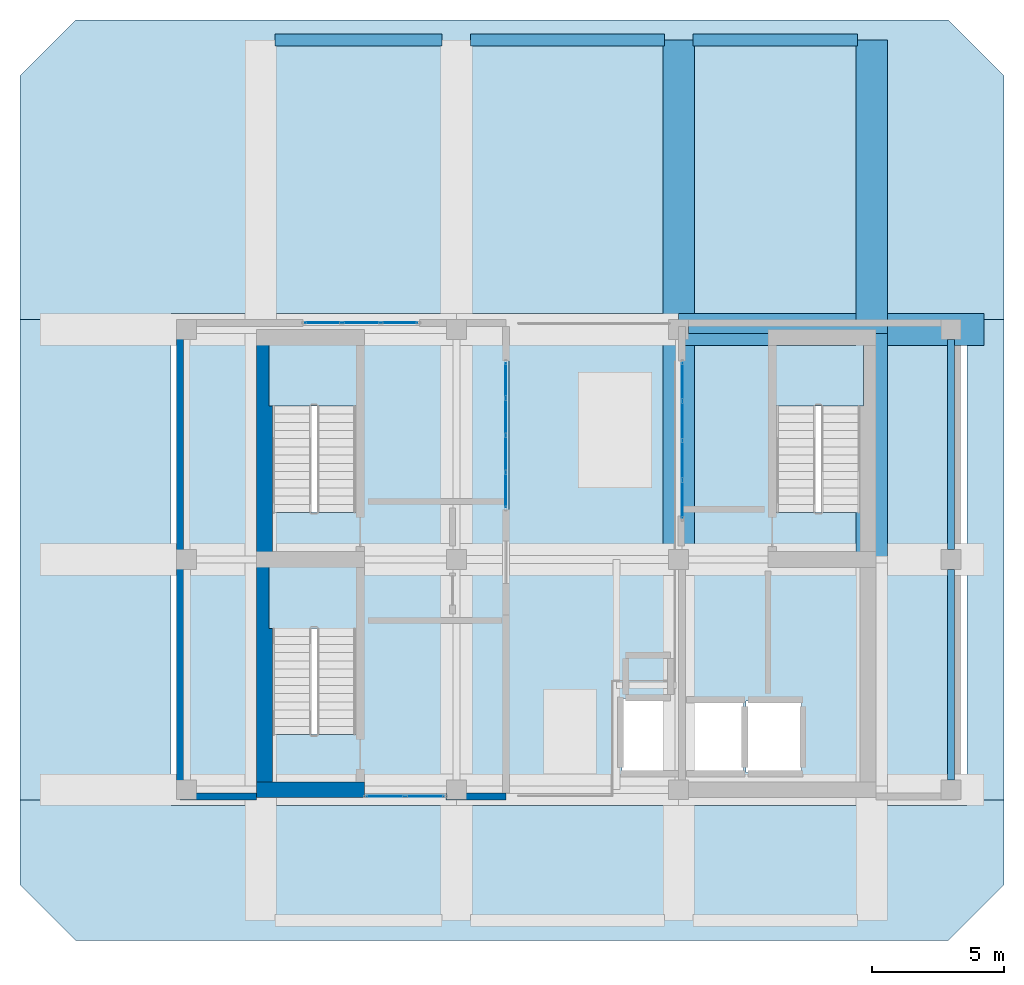
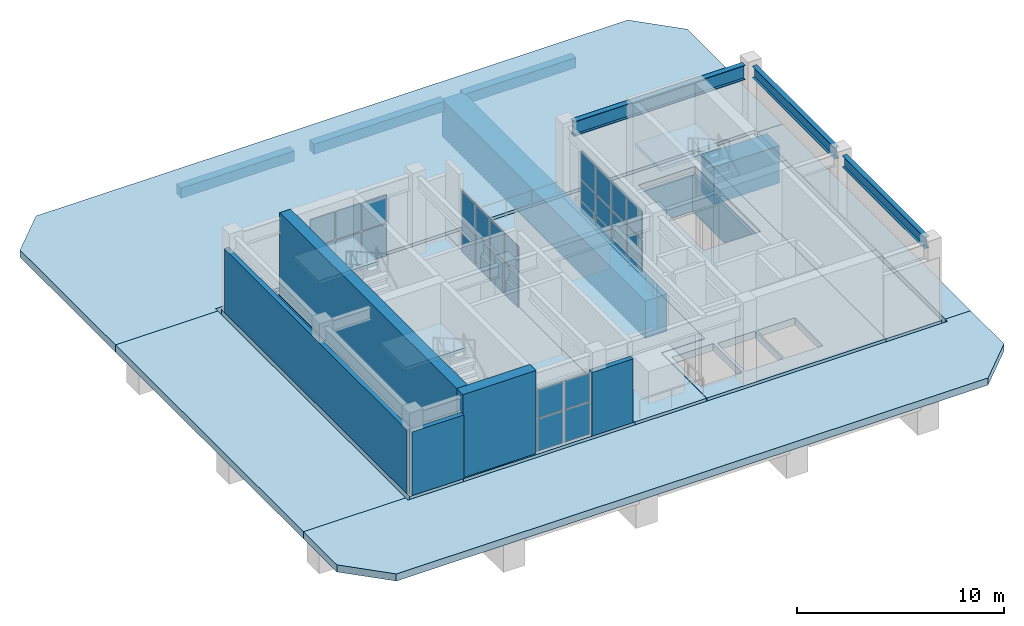
# One storey, part 12 of 16: 26 plates, 12 slabs, 10 beams, 5 walls, 7 elements without a shape of their own.
"""IFC4 building model written with IfcOpenShell, lengths in metres."""

from ifc_helpers import new_model, si_unit, direction, frame, frame_2d, origin, origin_2d, place, context, subcontext, project, spatial, polyline, rectangle, i_section, outline, extrude, material, layer, layer_set, material_profile, profile_set, type_object, element, aggregate, save


model = new_model("IFC4")

# Units and contexts
model_context = context("Model", 3, precision=1e-05, world=origin(), true_north=direction((0.0, 1.0)))
body_context = subcontext(model_context, "Body", "Model", "MODEL_VIEW")
ifc_project = project(units=[si_unit("LENGTHUNIT", "METRE"), si_unit("AREAUNIT", "SQUARE_METRE"), si_unit("VOLUMEUNIT", "CUBIC_METRE"), si_unit("PLANEANGLEUNIT", "RADIAN"), si_unit("MASSUNIT", "GRAM", prefix="KILO")], contexts=[model_context])

# Site, building, storey
site_placement = place(None, origin())
site = spatial("IfcSite", under=ifc_project, at=site_placement, CompositionType="ELEMENT")
building_placement = place(site_placement, origin())
building = spatial("IfcBuilding", under=site, at=building_placement, Name="Solanera Arch Residences", CompositionType="ELEMENT")
storey_placement = place(building_placement, frame((0.0, 0.0, 278.080078125)))
storey = spatial("IfcBuildingStorey", under=building, at=storey_placement, Name="L80", CompositionType="ELEMENT", Elevation=278.080078125)

# Beams
ifc_material_1 = material(Name="Steel S355 (ASTM A992 / A572 Grade 50)", Category="steel")
ifc_material_profile_1 = material_profile(ifc_material_1, i_section(OverallWidth=0.256103515625, OverallDepth=0.693115234375, WebThickness=0.014404296875, FlangeThickness=0.023681640625, at=origin_2d()))
ifc_profile_set_1 = profile_set([ifc_material_profile_1], Name="Steel S355 (ASTM A992 / A572 Grade 50)")
beam_type_1 = type_object("IfcBeamType", Name="Primary Beam W690X170", PredefinedType="BEAM", material=ifc_profile_set_1)
for number, where, z_axis, x_axis, name in (
    (1, (39.5, 22.375, 4.27294921875), (0.0, 1.0, 0.0), (-1.0, 0.0, 0.0), "BM-L80-CR-E3"),
    (2, (39.5, 31.074951171875, 4.27294921875), (0.0, 1.0, 0.0), (-1.0, 0.0, 0.0), "BM-L80-CR-E4"),
):
    element("IfcBeam", number, at=place(storey_placement, frame(where, z_axis=z_axis, x_axis=x_axis)), inside=storey, type_object=beam_type_1, Name=name, PredefinedType="BEAM", context=body_context, shape_type="SweptSolid", body=[
        extrude(i_section(OverallWidth=0.256103515625, OverallDepth=0.693115234375, WebThickness=0.014404296875, FlangeThickness=0.023681640625, at=origin_2d()), origin(), (0.0, 0.0, 1.0), 7.949951171875),
    ])
ifc_material_2 = material(Name="Steel S355 (ASTM A992 / A572 Grade 50)", Category="steel")
ifc_material_profile_2 = material_profile(ifc_material_2, i_section(OverallWidth=0.2939453125, OverallDepth=0.85107421875, WebThickness=0.01611328125, FlangeThickness=0.02685546875, at=origin_2d()))
ifc_profile_set_2 = profile_set([ifc_material_profile_2], Name="Steel S355 (ASTM A992 / A572 Grade 50)")
beam_type_2 = type_object("IfcBeamType", Name="Primary Beam W840X226", PredefinedType="BEAM", material=ifc_profile_set_2)
beam_1_placement = place(storey_placement, frame((29.574951171875, 39.39990234375, 4.19384765625), z_axis=(1.0, 0.0, 0.0), x_axis=(0.0, 1.0, 0.0)))
element("IfcBeam", 3, at=beam_1_placement, inside=storey, type_object=beam_type_2, Name="BM-L80-CR-EN", PredefinedType="BEAM", context=body_context, shape_type="SweptSolid", body=[
    extrude(i_section(OverallWidth=0.2939453125, OverallDepth=0.85107421875, WebThickness=0.01611328125, FlangeThickness=0.02685546875, at=origin_2d()), origin(), (0.0, 0.0, 1.0), 9.550048828125),
])
ifc_material_3 = material(Name="Concrete C40/50 (f'c = 45 MPa)", Category="concrete")
ifc_material_profile_3 = material_profile(ifc_material_3, rectangle(XDim=0.449951171875, YDim=0.60009765625, at=origin_2d()))
ifc_profile_set_3 = profile_set([ifc_material_profile_3], Name="Concrete C40/50 (f'c = 45 MPa)")
beam_type_3 = type_object("IfcBeamType", Name="Spandrel Beam RC-BM-450X600", PredefinedType="SPANDREL", material=ifc_profile_set_3)
beam_2_placement = place(storey_placement, frame((13.93994140625, 50.35009765625, -0.719970703125), z_axis=(1.0, 0.0, 0.0), x_axis=(0.0, 1.0, 0.0)))
element("IfcBeam", 4, at=beam_2_placement, inside=storey, type_object=beam_type_3, Name="BM-L80-CAP-N1", PredefinedType="SPANDREL", context=body_context, shape_type="SweptSolid", body=[
    extrude(rectangle(XDim=0.449951171875, YDim=0.60009765625, at=origin_2d()), origin(), (0.0, 0.0, 1.0), 6.320068359375),
])
beam_3_placement = place(storey_placement, frame((21.340087890625, 50.35009765625, -0.719970703125), z_axis=(1.0, 0.0, 0.0), x_axis=(0.0, 1.0, 0.0)))
element("IfcBeam", 5, at=beam_3_placement, inside=storey, type_object=beam_type_3, Name="BM-L80-CAP-N2", PredefinedType="SPANDREL", context=body_context, shape_type="SweptSolid", body=[
    extrude(rectangle(XDim=0.449951171875, YDim=0.60009765625, at=origin_2d()), origin(), (0.0, 0.0, 1.0), 7.31982421875),
])
beam_4_placement = place(storey_placement, frame((29.739990234375, 50.35009765625, -0.719970703125), z_axis=(1.0, 0.0, 0.0), x_axis=(0.0, 1.0, 0.0)))
element("IfcBeam", 6, at=beam_4_placement, inside=storey, type_object=beam_type_3, Name="BM-L80-CAP-N3", PredefinedType="SPANDREL", context=body_context, shape_type="SweptSolid", body=[
    extrude(rectangle(XDim=0.449951171875, YDim=0.60009765625, at=origin_2d()), origin(), (0.0, 0.0, 1.0), 6.219970703125),
])
ifc_material_4 = material(Name="Concrete C55/67 (f'c = 60 MPa)", Category="concrete")
ifc_material_profile_4 = material_profile(ifc_material_4, rectangle(XDim=1.199951171875, YDim=2.199951171875, at=origin_2d()))
ifc_profile_set_4 = profile_set([ifc_material_profile_4], Name="Concrete C55/67 (f'c = 60 MPa)")
beam_type_4 = type_object("IfcBeamType", Name="Transfer Girder RC-BM-1200X2200", PredefinedType="BEAM", material=ifc_profile_set_4)
for number, where, z_axis, x_axis, name in (
    (7, (29.199951171875, 30.699951171875, -1.52001953125), (0.0, 1.0, 0.0), (-1.0, 0.0, 0.0), "BM-L80-CRX-NSN-292"),
    (8, (36.5, 30.699951171875, -1.52001953125), (0.0, 1.0, 0.0), (-1.0, 0.0, 0.0), "BM-L80-CRX-NSN-365"),
):
    element("IfcBeam", number, at=place(storey_placement, frame(where, z_axis=z_axis, x_axis=x_axis)), inside=storey, type_object=beam_type_4, Name=name, PredefinedType="BEAM", context=body_context, shape_type="SweptSolid", body=[
        extrude(rectangle(XDim=1.199951171875, YDim=2.199951171875, at=origin_2d()), origin(), (0.0, 0.0, 1.0), 19.650146484375),
    ])
beam_5_placement = place(storey_placement, frame((29.199951171875, 39.39990234375, -1.52001953125), z_axis=(1.0, 0.0, 0.0), x_axis=(0.0, 1.0, 0.0)))
element("IfcBeam", 9, at=beam_5_placement, inside=storey, type_object=beam_type_4, Name="BM-L80-CRX-EWCE-394", PredefinedType="BEAM", context=body_context, shape_type="SweptSolid", body=[
    extrude(rectangle(XDim=1.199951171875, YDim=2.199951171875, at=origin_2d()), origin(), (0.0, 0.0, 1.0), 6.699951171875),
])
beam_6_placement = place(storey_placement, frame((37.10009765625, 39.39990234375, -1.52001953125), z_axis=(1.0, 0.0, 0.0), x_axis=(0.0, 1.0, 0.0)))
element("IfcBeam", 10, at=beam_6_placement, inside=storey, type_object=beam_type_4, Name="BM-L80-CRX-EWE-394", PredefinedType="BEAM", context=body_context, shape_type="SweptSolid", body=[
    extrude(rectangle(XDim=1.199951171875, YDim=2.199951171875, at=origin_2d()), origin(), (0.0, 0.0, 1.0), 3.64990234375),
])

# Curtain wall, plates
ifc_material_5 = material(Name="Anodised Aluminium Alloy 6063-T6", Category="aluminium")
ifc_layer_1 = layer(ifc_material_5, 0.199951171875)
ifc_layer_set_1 = layer_set([ifc_layer_1], Name="Anodised Aluminium Alloy 6063-T6")
curtain_wall_type_1 = type_object("IfcCurtainWallType", Name="CW-5 Observatory High-Wind Curtain Wall", PredefinedType="USERDEFINED", material=ifc_layer_set_1)
curtain_wall_1_placement = place(storey_placement, origin())
curtain_wall_1 = element("IfcCurtainWall", 11, at=curtain_wall_1_placement, inside=storey, type_object=curtain_wall_type_1, Name="L80 Crown South Observatory Curtain Wall", ObjectType="CURTAIN_WALL", PredefinedType="USERDEFINED")
ifc_material_6 = material(Name="Double Glazed Low-E Laminated Glass", Category="glass")
ifc_layer_2 = layer(ifc_material_6, 0.035888671875)
ifc_layer_set_2 = layer_set([ifc_layer_2], Name="Double Glazed Low-E Laminated Glass")
plate_type = type_object("IfcPlateType", Name="Low-Iron Observatory Panel GL-36", PredefinedType="CURTAIN_PANEL", material=ifc_layer_set_2)
plate_1_placement = place(storey_placement, frame((19.610107421875, 21.75, 0.080078125), z_axis=(0.0, 0.0, 1.0), x_axis=(-1.0, 0.0, 0.0)))
plate_1 = element("IfcPlate", 12, at=plate_1_placement, type_object=plate_type, Name="CW-5 panel 1.1", PredefinedType="CURTAIN_PANEL", context=body_context, shape_type="SweptSolid", body=[
    extrude(rectangle(XDim=1.419921875, YDim=0.035888671875, at=origin_2d()), origin(), (0.0, 0.0, 1.0), 1.8798828125),
])
plate_2_placement = place(storey_placement, frame((19.610107421875, 21.75, 2.0400390625), z_axis=(0.0, 0.0, 1.0), x_axis=(-1.0, 0.0, 0.0)))
plate_2 = element("IfcPlate", 13, at=plate_2_placement, type_object=plate_type, Name="CW-5 panel 1.2", PredefinedType="CURTAIN_PANEL", context=body_context, shape_type="SweptSolid", body=[
    extrude(rectangle(XDim=1.419921875, YDim=0.035888671875, at=origin_2d()), origin(), (0.0, 0.0, 1.0), 1.639892578125),
])
plate_3_placement = place(storey_placement, frame((18.110107421875, 21.75, 0.080078125), z_axis=(0.0, 0.0, 1.0), x_axis=(-1.0, 0.0, 0.0)))
plate_3 = element("IfcPlate", 14, at=plate_3_placement, type_object=plate_type, Name="CW-5 panel 2.1", PredefinedType="CURTAIN_PANEL", context=body_context, shape_type="SweptSolid", body=[
    extrude(rectangle(XDim=1.419921875, YDim=0.035888671875, at=origin_2d()), origin(), (0.0, 0.0, 1.0), 1.8798828125),
])
plate_4_placement = place(storey_placement, frame((18.110107421875, 21.75, 2.0400390625), z_axis=(0.0, 0.0, 1.0), x_axis=(-1.0, 0.0, 0.0)))
plate_4 = element("IfcPlate", 15, at=plate_4_placement, type_object=plate_type, Name="CW-5 panel 2.2", PredefinedType="CURTAIN_PANEL", context=body_context, shape_type="SweptSolid", body=[
    extrude(rectangle(XDim=1.419921875, YDim=0.035888671875, at=origin_2d()), origin(), (0.0, 0.0, 1.0), 1.639892578125),
])
aggregate(curtain_wall_1, [plate_1, plate_2, plate_3, plate_4])

curtain_wall_2_placement = place(storey_placement, origin())
curtain_wall_2 = element("IfcCurtainWall", 16, at=curtain_wall_2_placement, inside=storey, type_object=curtain_wall_type_1, Name="L80 Crown North Observatory Curtain Wall", ObjectType="CURTAIN_WALL", PredefinedType="USERDEFINED")
plate_5_placement = place(storey_placement, frame((15.75341796875, 39.64990234375, 0.080078125), z_axis=(0.0, 0.0, 1.0), x_axis=(1.0, 0.0, 0.0)))
plate_5 = element("IfcPlate", 17, at=plate_5_placement, type_object=plate_type, Name="CW-5 panel 1.1", PredefinedType="CURTAIN_PANEL", context=body_context, shape_type="SweptSolid", body=[
    extrude(rectangle(XDim=1.3466796875, YDim=0.035888671875, at=origin_2d()), origin(), (0.0, 0.0, 1.0), 1.8798828125),
])
plate_6_placement = place(storey_placement, frame((15.75341796875, 39.64990234375, 2.0400390625), z_axis=(0.0, 0.0, 1.0), x_axis=(1.0, 0.0, 0.0)))
plate_6 = element("IfcPlate", 18, at=plate_6_placement, type_object=plate_type, Name="CW-5 panel 1.2", PredefinedType="CURTAIN_PANEL", context=body_context, shape_type="SweptSolid", body=[
    extrude(rectangle(XDim=1.3466796875, YDim=0.035888671875, at=origin_2d()), origin(), (0.0, 0.0, 1.0), 1.639892578125),
])
plate_7_placement = place(storey_placement, frame((17.199951171875, 39.64990234375, 0.080078125), z_axis=(0.0, 0.0, 1.0), x_axis=(1.0, 0.0, 0.0)))
plate_7 = element("IfcPlate", 19, at=plate_7_placement, type_object=plate_type, Name="CW-5 panel 2.1", PredefinedType="CURTAIN_PANEL", context=body_context, shape_type="SweptSolid", body=[
    extrude(rectangle(XDim=1.38671875, YDim=0.035888671875, at=origin_2d()), origin(), (0.0, 0.0, 1.0), 1.8798828125),
])
plate_8_placement = place(storey_placement, frame((17.199951171875, 39.64990234375, 2.0400390625), z_axis=(0.0, 0.0, 1.0), x_axis=(1.0, 0.0, 0.0)))
plate_8 = element("IfcPlate", 20, at=plate_8_placement, type_object=plate_type, Name="CW-5 panel 2.2", PredefinedType="CURTAIN_PANEL", context=body_context, shape_type="SweptSolid", body=[
    extrude(rectangle(XDim=1.38671875, YDim=0.035888671875, at=origin_2d()), origin(), (0.0, 0.0, 1.0), 1.639892578125),
])
plate_9_placement = place(storey_placement, frame((18.646728515625, 39.64990234375, 0.080078125), z_axis=(0.0, 0.0, 1.0), x_axis=(1.0, 0.0, 0.0)))
plate_9 = element("IfcPlate", 21, at=plate_9_placement, type_object=plate_type, Name="CW-5 panel 3.1", PredefinedType="CURTAIN_PANEL", context=body_context, shape_type="SweptSolid", body=[
    extrude(rectangle(XDim=1.3466796875, YDim=0.035888671875, at=origin_2d()), origin(), (0.0, 0.0, 1.0), 1.8798828125),
])
plate_10_placement = place(storey_placement, frame((18.646728515625, 39.64990234375, 2.0400390625), z_axis=(0.0, 0.0, 1.0), x_axis=(1.0, 0.0, 0.0)))
plate_10 = element("IfcPlate", 22, at=plate_10_placement, type_object=plate_type, Name="CW-5 panel 3.2", PredefinedType="CURTAIN_PANEL", context=body_context, shape_type="SweptSolid", body=[
    extrude(rectangle(XDim=1.3466796875, YDim=0.035888671875, at=origin_2d()), origin(), (0.0, 0.0, 1.0), 1.639892578125),
])
aggregate(curtain_wall_2, [plate_5, plate_6, plate_7, plate_8, plate_9, plate_10])

ifc_material_7 = material(Name="Anodised Aluminium Alloy 6063-T6", Category="aluminium")
ifc_layer_3 = layer(ifc_material_7, 0.179931640625)
ifc_layer_set_3 = layer_set([ifc_layer_3], Name="Anodised Aluminium Alloy 6063-T6")
curtain_wall_type_2 = type_object("IfcCurtainWallType", Name="CW-6 Split-Top Crown Lantern Curtain Wall", PredefinedType="USERDEFINED", material=ifc_layer_set_3)
curtain_wall_3_placement = place(storey_placement, origin())
curtain_wall_3 = element("IfcCurtainWall", 23, at=curtain_wall_3_placement, inside=storey, type_object=curtain_wall_type_2, Name="L80 W Crown Cleft Lantern Curtain Wall", ObjectType="CURTAIN_WALL", PredefinedType="USERDEFINED")
plate_11_placement = place(storey_placement, frame((22.669921875, 33.320068359375, 0.080078125), z_axis=(0.0, 0.0, 1.0), x_axis=(0.0, 1.0, 0.0)))
plate_11 = element("IfcPlate", 24, at=plate_11_placement, type_object=plate_type, Name="CW-6 panel 1.1", PredefinedType="CURTAIN_PANEL", context=body_context, shape_type="SweptSolid", body=[
    extrude(rectangle(XDim=1.280029296875, YDim=0.035888671875, at=origin_2d()), origin(), (0.0, 0.0, 1.0), 1.8798828125),
])
plate_12_placement = place(storey_placement, frame((22.669921875, 33.320068359375, 2.0400390625), z_axis=(0.0, 0.0, 1.0), x_axis=(0.0, 1.0, 0.0)))
plate_12 = element("IfcPlate", 25, at=plate_12_placement, type_object=plate_type, Name="CW-6 panel 1.2", PredefinedType="CURTAIN_PANEL", context=body_context, shape_type="SweptSolid", body=[
    extrude(rectangle(XDim=1.280029296875, YDim=0.035888671875, at=origin_2d()), origin(), (0.0, 0.0, 1.0), 1.639892578125),
])
plate_13_placement = place(storey_placement, frame((22.669921875, 34.699951171875, 0.080078125), z_axis=(0.0, 0.0, 1.0), x_axis=(0.0, 1.0, 0.0)))
plate_13 = element("IfcPlate", 26, at=plate_13_placement, type_object=plate_type, Name="CW-6 panel 2.1", PredefinedType="CURTAIN_PANEL", context=body_context, shape_type="SweptSolid", body=[
    extrude(rectangle(XDim=1.320068359375, YDim=0.035888671875, at=origin_2d()), origin(), (0.0, 0.0, 1.0), 1.8798828125),
])
plate_14_placement = place(storey_placement, frame((22.669921875, 34.699951171875, 2.0400390625), z_axis=(0.0, 0.0, 1.0), x_axis=(0.0, 1.0, 0.0)))
plate_14 = element("IfcPlate", 27, at=plate_14_placement, type_object=plate_type, Name="CW-6 panel 2.2", PredefinedType="CURTAIN_PANEL", context=body_context, shape_type="SweptSolid", body=[
    extrude(rectangle(XDim=1.320068359375, YDim=0.035888671875, at=origin_2d()), origin(), (0.0, 0.0, 1.0), 1.639892578125),
])
plate_15_placement = place(storey_placement, frame((22.669921875, 36.10009765625, 0.080078125), z_axis=(0.0, 0.0, 1.0), x_axis=(0.0, 1.0, 0.0)))
plate_15 = element("IfcPlate", 28, at=plate_15_placement, type_object=plate_type, Name="CW-6 panel 3.1", PredefinedType="CURTAIN_PANEL", context=body_context, shape_type="SweptSolid", body=[
    extrude(rectangle(XDim=1.320068359375, YDim=0.035888671875, at=origin_2d()), origin(), (0.0, 0.0, 1.0), 1.8798828125),
])
plate_16_placement = place(storey_placement, frame((22.669921875, 36.10009765625, 2.0400390625), z_axis=(0.0, 0.0, 1.0), x_axis=(0.0, 1.0, 0.0)))
plate_16 = element("IfcPlate", 29, at=plate_16_placement, type_object=plate_type, Name="CW-6 panel 3.2", PredefinedType="CURTAIN_PANEL", context=body_context, shape_type="SweptSolid", body=[
    extrude(rectangle(XDim=1.320068359375, YDim=0.035888671875, at=origin_2d()), origin(), (0.0, 0.0, 1.0), 1.639892578125),
])
plate_17_placement = place(storey_placement, frame((22.669921875, 37.47998046875, 0.080078125), z_axis=(0.0, 0.0, 1.0), x_axis=(0.0, 1.0, 0.0)))
plate_17 = element("IfcPlate", 30, at=plate_17_placement, type_object=plate_type, Name="CW-6 panel 4.1", PredefinedType="CURTAIN_PANEL", context=body_context, shape_type="SweptSolid", body=[
    extrude(rectangle(XDim=1.280029296875, YDim=0.035888671875, at=origin_2d()), origin(), (0.0, 0.0, 1.0), 1.8798828125),
])
plate_18_placement = place(storey_placement, frame((22.669921875, 37.47998046875, 2.0400390625), z_axis=(0.0, 0.0, 1.0), x_axis=(0.0, 1.0, 0.0)))
plate_18 = element("IfcPlate", 31, at=plate_18_placement, type_object=plate_type, Name="CW-6 panel 4.2", PredefinedType="CURTAIN_PANEL", context=body_context, shape_type="SweptSolid", body=[
    extrude(rectangle(XDim=1.280029296875, YDim=0.035888671875, at=origin_2d()), origin(), (0.0, 0.0, 1.0), 1.639892578125),
])
aggregate(curtain_wall_3, [plate_11, plate_12, plate_13, plate_14, plate_15, plate_16, plate_17, plate_18])

curtain_wall_4_placement = place(storey_placement, origin())
curtain_wall_4 = element("IfcCurtainWall", 32, at=curtain_wall_4_placement, inside=storey, type_object=curtain_wall_type_2, Name="L80 E Crown Cleft Lantern Curtain Wall", ObjectType="CURTAIN_WALL", PredefinedType="USERDEFINED")
plate_19_placement = place(storey_placement, frame((29.330078125, 32.969970703125, 0.080078125), z_axis=(0.0, 0.0, 1.0), x_axis=(0.0, 1.0, 0.0)))
plate_19 = element("IfcPlate", 33, at=plate_19_placement, type_object=plate_type, Name="CW-6 panel 1.1", PredefinedType="CURTAIN_PANEL", context=body_context, shape_type="SweptSolid", body=[
    extrude(rectangle(XDim=1.3798828125, YDim=0.035888671875, at=origin_2d()), origin(), (0.0, 0.0, 1.0), 1.8798828125),
])
plate_20_placement = place(storey_placement, frame((29.330078125, 32.969970703125, 2.0400390625), z_axis=(0.0, 0.0, 1.0), x_axis=(0.0, 1.0, 0.0)))
plate_20 = element("IfcPlate", 34, at=plate_20_placement, type_object=plate_type, Name="CW-6 panel 1.2", PredefinedType="CURTAIN_PANEL", context=body_context, shape_type="SweptSolid", body=[
    extrude(rectangle(XDim=1.3798828125, YDim=0.035888671875, at=origin_2d()), origin(), (0.0, 0.0, 1.0), 1.639892578125),
])
plate_21_placement = place(storey_placement, frame((29.330078125, 34.449951171875, 0.080078125), z_axis=(0.0, 0.0, 1.0), x_axis=(0.0, 1.0, 0.0)))
plate_21 = element("IfcPlate", 35, at=plate_21_placement, type_object=plate_type, Name="CW-6 panel 2.1", PredefinedType="CURTAIN_PANEL", context=body_context, shape_type="SweptSolid", body=[
    extrude(rectangle(XDim=1.419921875, YDim=0.035888671875, at=origin_2d()), origin(), (0.0, 0.0, 1.0), 1.8798828125),
])
plate_22_placement = place(storey_placement, frame((29.330078125, 34.449951171875, 2.0400390625), z_axis=(0.0, 0.0, 1.0), x_axis=(0.0, 1.0, 0.0)))
plate_22 = element("IfcPlate", 36, at=plate_22_placement, type_object=plate_type, Name="CW-6 panel 2.2", PredefinedType="CURTAIN_PANEL", context=body_context, shape_type="SweptSolid", body=[
    extrude(rectangle(XDim=1.419921875, YDim=0.035888671875, at=origin_2d()), origin(), (0.0, 0.0, 1.0), 1.639892578125),
])
plate_23_placement = place(storey_placement, frame((29.330078125, 35.949951171875, 0.080078125), z_axis=(0.0, 0.0, 1.0), x_axis=(0.0, 1.0, 0.0)))
plate_23 = element("IfcPlate", 37, at=plate_23_placement, type_object=plate_type, Name="CW-6 panel 3.1", PredefinedType="CURTAIN_PANEL", context=body_context, shape_type="SweptSolid", body=[
    extrude(rectangle(XDim=1.419921875, YDim=0.035888671875, at=origin_2d()), origin(), (0.0, 0.0, 1.0), 1.8798828125),
])
plate_24_placement = place(storey_placement, frame((29.330078125, 35.949951171875, 2.0400390625), z_axis=(0.0, 0.0, 1.0), x_axis=(0.0, 1.0, 0.0)))
plate_24 = element("IfcPlate", 38, at=plate_24_placement, type_object=plate_type, Name="CW-6 panel 3.2", PredefinedType="CURTAIN_PANEL", context=body_context, shape_type="SweptSolid", body=[
    extrude(rectangle(XDim=1.419921875, YDim=0.035888671875, at=origin_2d()), origin(), (0.0, 0.0, 1.0), 1.639892578125),
])
plate_25_placement = place(storey_placement, frame((29.330078125, 37.429931640625, 0.080078125), z_axis=(0.0, 0.0, 1.0), x_axis=(0.0, 1.0, 0.0)))
plate_25 = element("IfcPlate", 39, at=plate_25_placement, type_object=plate_type, Name="CW-6 panel 4.1", PredefinedType="CURTAIN_PANEL", context=body_context, shape_type="SweptSolid", body=[
    extrude(rectangle(XDim=1.3798828125, YDim=0.035888671875, at=origin_2d()), origin(), (0.0, 0.0, 1.0), 1.8798828125),
])
plate_26_placement = place(storey_placement, frame((29.330078125, 37.429931640625, 2.0400390625), z_axis=(0.0, 0.0, 1.0), x_axis=(0.0, 1.0, 0.0)))
plate_26 = element("IfcPlate", 40, at=plate_26_placement, type_object=plate_type, Name="CW-6 panel 4.2", PredefinedType="CURTAIN_PANEL", context=body_context, shape_type="SweptSolid", body=[
    extrude(rectangle(XDim=1.3798828125, YDim=0.035888671875, at=origin_2d()), origin(), (0.0, 0.0, 1.0), 1.639892578125),
])
aggregate(curtain_wall_4, [plate_19, plate_20, plate_21, plate_22, plate_23, plate_24, plate_25, plate_26])

# Slabs
ifc_material_8 = material(Name="Concrete C40/50 (f'c = 45 MPa)", Category="concrete")
ifc_layer_4 = layer(ifc_material_8, 0.239990234375)
ifc_layer_set_4 = layer_set([ifc_layer_4], Name="Concrete C40/50 (f'c = 45 MPa)")
slab_type_1 = type_object("IfcSlabType", Name="Roof Deck Slab 240", PredefinedType="ROOF", material=ifc_layer_set_4)
slab_1_placement = place(storey_placement, frame((0.0, 0.0, -0.420166015625)))
element("IfcSlab", 41, at=slab_1_placement, inside=storey, type_object=slab_type_1, Name="L80 Crown Peak Plenum Deck WO", PredefinedType="ROOF", context=body_context, shape_type="SweptSolid", body=[
    extrude(outline(polyline([(13.219970703125, 21.6201171875), (13.219970703125, 39.780029296875), (10.219970703125, 39.780029296875), (10.219970703125, 21.6201171875), (13.219970703125, 21.6201171875)])), origin(), (0.0, 0.0, 1.0), 0.420166015625),
])
slab_2_placement = place(storey_placement, frame((0.0, 0.0, -0.420166015625)))
element("IfcSlab", 42, at=slab_2_placement, inside=storey, type_object=slab_type_1, Name="L80 Crown Peak Plenum Deck EO", PredefinedType="ROOF", context=body_context, shape_type="SweptSolid", body=[
    extrude(outline(polyline([(39.8798828125, 21.6201171875), (39.8798828125, 39.780029296875), (36.780029296875, 39.780029296875), (36.780029296875, 21.6201171875), (39.8798828125, 21.6201171875)])), origin(), (0.0, 0.0, 1.0), 0.420166015625),
])
slab_3_placement = place(storey_placement, frame((0.0, 0.0, -0.420166015625)))
element("IfcSlab", 43, at=slab_3_placement, inside=storey, type_object=slab_type_1, Name="L80 Perimeter Roof Closure Slab S1", PredefinedType="ROOF", context=body_context, shape_type="SweptSolid", body=[
    extrude(outline(polyline([(4.300048828125, 18.39990234375), (6.39990234375, 16.300048828125), (39.39990234375, 16.300048828125), (41.5, 18.39990234375), (41.5, 21.639892578125), (40.10009765625, 21.639892578125), (40.10009765625, 21.39990234375), (10.0, 21.39990234375), (10.0, 21.639892578125), (4.300048828125, 21.639892578125), (4.300048828125, 18.39990234375)])), origin(), (0.0, 0.0, 1.0), 0.420166015625),
])
slab_4_placement = place(storey_placement, frame((0.0, 0.0, -0.420166015625)))
element("IfcSlab", 44, at=slab_4_placement, inside=storey, type_object=slab_type_1, Name="L80 Perimeter Roof Closure Slab N1", PredefinedType="ROOF", context=body_context, shape_type="SweptSolid", body=[
    extrude(outline(polyline([(4.300048828125, 39.760009765625), (10.0, 39.760009765625), (10.0, 40.0), (40.10009765625, 40.0), (40.10009765625, 39.760009765625), (41.5, 39.760009765625), (41.5, 49.0), (39.39990234375, 51.10009765625), (6.39990234375, 51.10009765625), (4.300048828125, 49.0), (4.300048828125, 39.760009765625)])), origin(), (0.0, 0.0, 1.0), 0.420166015625),
])
slab_5_placement = place(storey_placement, frame((0.0, 0.0, -0.420166015625)))
element("IfcSlab", 45, at=slab_5_placement, inside=storey, type_object=slab_type_1, Name="L80 Perimeter Roof Closure Slab W1", PredefinedType="ROOF", context=body_context, shape_type="SweptSolid", body=[
    extrude(outline(polyline([(4.300048828125, 21.6201171875), (10.0, 21.6201171875), (10.0, 39.780029296875), (4.300048828125, 39.780029296875), (4.300048828125, 21.6201171875)])), origin(), (0.0, 0.0, 1.0), 0.420166015625),
])
slab_6_placement = place(storey_placement, frame((0.0, 0.0, -0.420166015625)))
element("IfcSlab", 46, at=slab_6_placement, inside=storey, type_object=slab_type_1, Name="L80 Perimeter Roof Closure Slab E1", PredefinedType="ROOF", context=body_context, shape_type="SweptSolid", body=[
    extrude(outline(polyline([(41.5, 39.780029296875), (40.10009765625, 39.780029296875), (40.10009765625, 21.6201171875), (41.5, 21.6201171875), (41.5, 39.780029296875)])), origin(), (0.0, 0.0, 1.0), 0.420166015625),
])

# Stair, slab
ifc_material_9 = material(Name="Concrete C40/50 (f'c = 45 MPa)", Category="concrete")
stair_type = type_object("IfcStairType", Name="Tower Dogleg Exit Stair 1480", PredefinedType="HALF_TURN_STAIR", material=ifc_material_9)
stair_1_placement = place(storey_placement, origin())
stair_1 = element("IfcStair", 47, at=stair_1_placement, inside=storey, type_object=stair_type, Name="L80 Tower Core Exit Stair 1", PredefinedType="HALF_TURN_STAIR")
ifc_material_10 = material(Name="Concrete C40/50 (f'c = 45 MPa)", Category="concrete")
ifc_layer_5 = layer(ifc_material_10, 0.199951171875)
ifc_layer_set_5 = layer_set([ifc_layer_5], Name="Concrete C40/50 (f'c = 45 MPa)")
slab_type_2 = type_object("IfcSlabType", Name="Stair Half-Landing Slab 200", PredefinedType="LANDING", material=ifc_layer_set_5)
slab_7_placement = place(storey_placement, frame((0.0, 0.0, 2.25)))
slab_7 = element("IfcSlab", 48, at=slab_7_placement, type_object=slab_type_2, Name="ST-T1 landing 1", PredefinedType="LANDING", context=body_context, shape_type="SweptSolid", body=[
    extrude(outline(polyline([(17.1201171875, 36.5), (17.1201171875, 38.919921875), (13.719970703125, 38.919921875), (13.719970703125, 36.5), (17.1201171875, 36.5)])), origin(), (0.0, 0.0, 1.0), 0.199951171875),
])
aggregate(stair_1, [slab_7])

stair_2_placement = place(storey_placement, origin())
stair_2 = element("IfcStair", 49, at=stair_2_placement, inside=storey, type_object=stair_type, Name="L80 Tower Core Exit Stair 2", PredefinedType="HALF_TURN_STAIR")
slab_8_placement = place(storey_placement, frame((0.0, 0.0, 2.25)))
slab_8 = element("IfcSlab", 50, at=slab_8_placement, type_object=slab_type_2, Name="ST-T2 landing 1", PredefinedType="LANDING", context=body_context, shape_type="SweptSolid", body=[
    extrude(outline(polyline([(36.179931640625, 36.5), (36.179931640625, 38.919921875), (32.780029296875, 38.919921875), (32.780029296875, 36.5), (36.179931640625, 36.5)])), origin(), (0.0, 0.0, 1.0), 0.199951171875),
])
aggregate(stair_2, [slab_8])

stair_3_placement = place(storey_placement, origin())
stair_3 = element("IfcStair", 51, at=stair_3_placement, inside=storey, type_object=stair_type, Name="L80 Tower Core Exit Stair 3", PredefinedType="HALF_TURN_STAIR")
slab_9_placement = place(storey_placement, frame((0.0, 0.0, 2.25)))
slab_9 = element("IfcSlab", 52, at=slab_9_placement, type_object=slab_type_2, Name="ST-T3 landing 1", PredefinedType="LANDING", context=body_context, shape_type="SweptSolid", body=[
    extrude(outline(polyline([(17.1201171875, 28.10009765625), (17.1201171875, 30.52001953125), (13.719970703125, 30.52001953125), (13.719970703125, 28.10009765625), (17.1201171875, 28.10009765625)])), origin(), (0.0, 0.0, 1.0), 0.199951171875),
])
aggregate(stair_3, [slab_9])

# Slabs
ifc_material_11 = material(Name="Concrete C40/50 (f'c = 45 MPa)", Category="concrete")
ifc_layer_6 = layer(ifc_material_11, 0.419921875)
ifc_layer_set_6 = layer_set([ifc_layer_6], Name="Concrete C40/50 (f'c = 45 MPa)")
slab_type_3 = type_object("IfcSlabType", Name="Suspended Floor Slab Post-Tensioned 420", PredefinedType="FLOOR", material=ifc_layer_set_6)
slab_10_placement = place(storey_placement, frame((0.0, 0.0, -0.420166015625)))
element("IfcSlab", 53, at=slab_10_placement, inside=storey, type_object=slab_type_3, Name="L80 West Crown Core Landing Slab", PredefinedType="FLOOR", context=body_context, shape_type="SweptSolid", body=[
    extrude(outline(polyline([(22.800048828125, 21.6201171875), (22.800048828125, 39.780029296875), (13.199951171875, 39.780029296875), (13.199951171875, 21.6201171875), (22.800048828125, 21.6201171875)]), holes=[polyline([(13.840087890625, 32.48291015625), (13.840087890625, 38.800048828125), (17.0, 38.800048828125), (17.0, 32.48291015625), (13.840087890625, 32.48291015625)]), polyline([(13.840087890625, 24.0830078125), (13.840087890625, 30.39990234375), (17.0, 30.39990234375), (17.0, 24.0830078125), (13.840087890625, 24.0830078125)])]), origin(), (0.0, 0.0, 1.0), 0.420166015625),
])
slab_11_placement = place(storey_placement, frame((0.0, 0.0, -0.420166015625)))
element("IfcSlab", 54, at=slab_11_placement, inside=storey, type_object=slab_type_3, Name="L80 East Crown Core Landing Slab", PredefinedType="FLOOR", context=body_context, shape_type="SweptSolid", body=[
    extrude(outline(polyline([(29.199951171875, 26.0), (26.800048828125, 26.0), (26.800048828125, 21.6201171875), (29.199951171875, 21.6201171875), (36.800048828125, 21.6201171875), (36.800048828125, 39.780029296875), (29.199951171875, 39.780029296875), (29.199951171875, 26.0)]), holes=[polyline([(32.89990234375, 32.48291015625), (32.89990234375, 38.800048828125), (36.06005859375, 38.800048828125), (36.06005859375, 32.48291015625), (32.89990234375, 32.48291015625)]), polyline([(29.550048828125, 25.35009765625), (31.64990234375, 25.35009765625), (31.64990234375, 22.64990234375), (29.550048828125, 22.64990234375), (29.550048828125, 25.35009765625)]), polyline([(31.75, 25.35009765625), (33.85009765625, 25.35009765625), (33.85009765625, 22.64990234375), (31.75, 22.64990234375), (31.75, 25.35009765625)]), polyline([(27.050048828125, 25.449951171875), (29.35009765625, 25.449951171875), (29.35009765625, 22.64990234375), (27.050048828125, 22.64990234375), (27.050048828125, 25.449951171875)])]), origin(), (0.0, 0.0, 1.0), 0.420166015625),
])
ifc_material_12 = material(Name="Concrete C40/50 (f'c = 45 MPa)", Category="concrete")
ifc_layer_7 = layer(ifc_material_12, 0.419921875)
ifc_layer_set_7 = layer_set([ifc_layer_7], Name="Concrete C40/50 (f'c = 45 MPa)")
slab_type_4 = type_object("IfcSlabType", Name="Terrace Slab 420", PredefinedType="FLOOR", material=ifc_layer_set_7)
slab_12_placement = place(storey_placement, frame((0.0, 0.0, -0.420166015625)))
element("IfcSlab", 55, at=slab_12_placement, inside=storey, type_object=slab_type_4, Name="L80 Public Cleft Lookout Terrace Slab", PredefinedType="FLOOR", context=body_context, shape_type="SweptSolid", body=[
    extrude(outline(polyline([(26.780029296875, 21.6201171875), (26.780029296875, 26.02001953125), (29.219970703125, 26.02001953125), (29.219970703125, 39.780029296875), (22.780029296875, 39.780029296875), (22.780029296875, 21.6201171875), (26.780029296875, 21.6201171875)])), origin(), (0.0, 0.0, 1.0), 0.420166015625),
])

# Walls
ifc_material_13 = material(Name="Concrete C40/50 (f'c = 45 MPa)", Category="concrete")
ifc_layer_8 = layer(ifc_material_13, 0.60009765625)
ifc_layer_set_8 = layer_set([ifc_layer_8], Name="Concrete C40/50 (f'c = 45 MPa)")
wall_type_1 = type_object("IfcWallType", Name="Core Shear Wall CW-600", PredefinedType="SHEAR", material=ifc_layer_set_8)
wall_1_placement = place(storey_placement, frame((13.5400390625, 22.0, 0.0), z_axis=(0.0, 0.0, 1.0), x_axis=(0.0, 1.0, 0.0)))
element("IfcWall", 56, at=wall_1_placement, inside=storey, type_object=wall_type_1, Name="L80 West Core Shear Wall", PredefinedType="SHEAR", context=body_context, shape_type="SweptSolid", body=[
    extrude(rectangle(XDim=17.39990234375, YDim=0.60009765625, at=frame_2d((8.699951171875, 0.0))), origin(), (0.0, 0.0, 1.0), 4.89990234375),
])
wall_2_placement = place(storey_placement, frame((13.239990234375, 22.0, 0.0), z_axis=(0.0, 0.0, 1.0), x_axis=(1.0, 0.0, 0.0)))
element("IfcWall", 57, at=wall_2_placement, inside=storey, type_object=wall_type_1, Name="L80 South-West Core Shear Wall", PredefinedType="SHEAR", context=body_context, shape_type="SweptSolid", body=[
    extrude(rectangle(XDim=4.080078125, YDim=0.60009765625, at=frame_2d((2.0400390625, 0.0))), origin(), (0.0, 0.0, 1.0), 4.89990234375),
])
ifc_material_14 = material(Name="Precast Concrete C35/45", Category="concrete")
ifc_layer_9 = layer(ifc_material_14, 0.260009765625)
ifc_layer_set_9 = layer_set([ifc_layer_9], Name="Precast Concrete C35/45")
wall_type_2 = type_object("IfcWallType", Name="Exterior Wall Precast Masonry-Frame 260", PredefinedType="STANDARD", material=ifc_layer_set_9)
wall_3_placement = place(storey_placement, frame((22.669921875, 21.75, 0.0), z_axis=(0.0, 0.0, 1.0), x_axis=(-1.0, 0.0, 0.0)))
element("IfcWall", 58, at=wall_3_placement, inside=storey, type_object=wall_type_2, Name="L80 W Crown South Pier 1", PredefinedType="STANDARD", context=body_context, shape_type="SweptSolid", body=[
    extrude(rectangle(XDim=2.27001953125, YDim=0.260009765625, at=frame_2d((1.135009765625, 0.0))), origin(), (0.0, 0.0, 1.0), 3.75390625),
])
wall_4_placement = place(storey_placement, frame((13.239990234375, 21.75, 0.0), z_axis=(0.0, 0.0, 1.0), x_axis=(-1.0, 0.0, 0.0)))
element("IfcWall", 59, at=wall_4_placement, inside=storey, type_object=wall_type_2, Name="L80 W Crown South Pier 2", PredefinedType="STANDARD", context=body_context, shape_type="SweptSolid", body=[
    extrude(rectangle(XDim=2.889892578125, YDim=0.260009765625, at=frame_2d((1.44482421875, 0.0))), origin(), (0.0, 0.0, 1.0), 3.75390625),
])
wall_5_placement = place(storey_placement, frame((10.35009765625, 21.8798828125, 0.0), z_axis=(0.0, 0.0, 1.0), x_axis=(0.0, 1.0, 0.0)))
element("IfcWall", 60, at=wall_5_placement, inside=storey, type_object=wall_type_2, Name="L80 W Crown Peak Outer Precast Wall", PredefinedType="STANDARD", context=body_context, shape_type="SweptSolid", body=[
    extrude(rectangle(XDim=17.64013671875, YDim=0.260009765625, at=frame_2d((8.820068359375, 0.0))), origin(), (0.0, 0.0, 1.0), 3.75390625),
])

save(model, "model.ifc")
